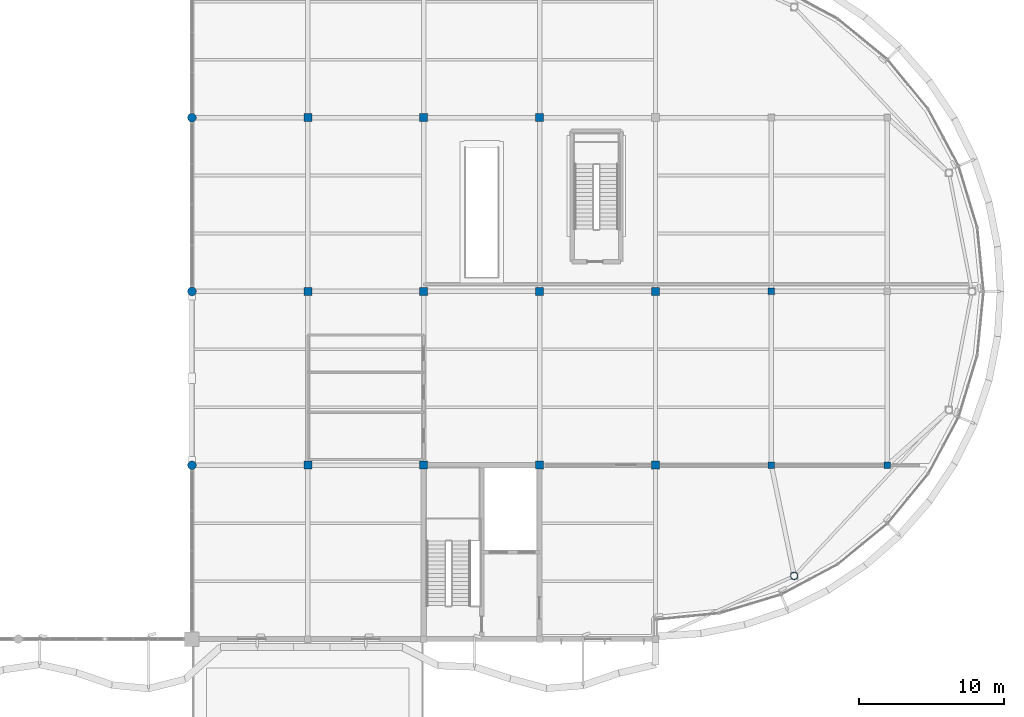
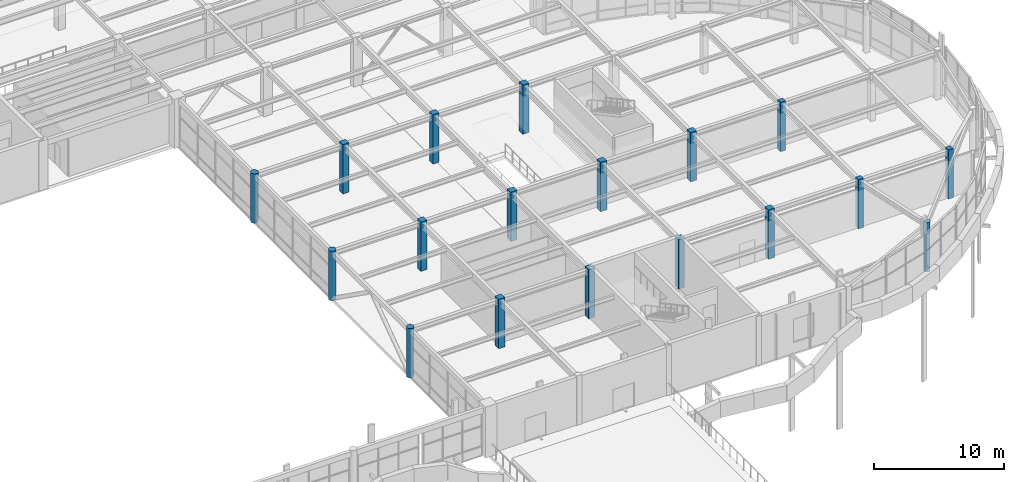
# One storey, part 6 of 63: 18 columns.
"""IFC4 building model written with IfcOpenShell, lengths in metres."""

from ifc_helpers import new_model, si_unit, direction, frame, origin, origin_2d, place, context, subcontext, project, spatial, rectangle, circle, hollow_circle, extrude, material, material_profile, profile_set, type_object, element, save


model = new_model("IFC4")

# Units and contexts
model_context = context("Model", 3, precision=1e-05, world=origin(), true_north=direction((0.0, 1.0)))
body_context = subcontext(model_context, "Body", "Model", "MODEL_VIEW")
ifc_project = project(units=[si_unit("LENGTHUNIT", "METRE"), si_unit("AREAUNIT", "SQUARE_METRE"), si_unit("VOLUMEUNIT", "CUBIC_METRE"), si_unit("PLANEANGLEUNIT", "RADIAN"), si_unit("MASSUNIT", "GRAM", prefix="KILO")], contexts=[model_context])

# Site, building, storey
site_placement = place(None, origin())
site = spatial("IfcSite", under=ifc_project, at=site_placement, CompositionType="ELEMENT")
building_placement = place(site_placement, origin())
building = spatial("IfcBuilding", under=site, at=building_placement, Name="Keelwater Ferry Terminal", CompositionType="ELEMENT")
storey_placement = place(building_placement, frame((0.0, 0.0, 10.199951171875)))
storey = spatial("IfcBuildingStorey", under=building, at=storey_placement, Name="L02", CompositionType="ELEMENT", Elevation=10.199951171875)

# Columns
ifc_material_1 = material(Name="Concrete C45/55", Category="concrete")
ifc_material_profile_1 = material_profile(ifc_material_1, rectangle(XDim=0.550048828125, YDim=0.550048828125, at=origin_2d()), Name="RC 550x550")
ifc_profile_set_1 = profile_set([ifc_material_profile_1], Name="Concrete C45/55")
column_type_1 = type_object("IfcColumnType", Name="C4 RC 550x550", PredefinedType="COLUMN", material=ifc_profile_set_1)
for number, where, z_axis, x_axis, name in (
    (1, (140.0, 54.0, 0.0), (0.0, 0.0, 1.0), (1.0, 0.0, 0.0), "Column CL-L02-0296"),
    (2, (140.0, 66.0, 0.0), (0.0, 0.0, 1.0), (1.0, 0.0, 0.0), "Column CL-L02-0300"),
    (3, (140.0, 78.0, 0.0), (0.0, 0.0, 1.0), (1.0, 0.0, 0.0), "Column CL-L02-0304"),
    (4, (148.0, 54.0, 0.0), (0.0, 0.0, 1.0), (1.0, 0.0, 0.0), "Column CL-L02-0343"),
    (5, (148.0, 66.0, 0.0), (0.0, 0.0, 1.0), (1.0, 0.0, 0.0), "Column CL-L02-0347"),
    (6, (148.0, 78.0, 0.0), (0.0, 0.0, 1.0), (1.0, 0.0, 0.0), "Column CL-L02-0351"),
    (7, (156.0, 54.0, 0.0), (0.0, 0.0, 1.0), (1.0, 0.0, 0.0), "Column CL-L02-0382"),
    (8, (156.0, 66.0, 0.0), (0.0, 0.0, 1.0), (1.0, 0.0, 0.0), "Column CL-L02-0386"),
    (9, (156.0, 78.0, 0.0), (0.0, 0.0, 1.0), (1.0, 0.0, 0.0), "Column CL-L02-0390"),
    (10, (164.0, 54.0, 0.0), (0.0, 0.0, 1.0), (1.0, 0.0, 0.0), "Column CL-L02-0421"),
    (11, (164.0, 66.0, 0.0), (0.0, 0.0, 1.0), (1.0, 0.0, 0.0), "Column CL-L02-0425"),
):
    element("IfcColumn", number, at=place(storey_placement, frame(where, z_axis=z_axis, x_axis=x_axis)), inside=storey, type_object=column_type_1, Name=name, PredefinedType="COLUMN", context=body_context, shape_type="SweptSolid", body=[
        extrude(rectangle(XDim=0.550048828125, YDim=0.550048828125, at=origin_2d()), origin(), (0.0, 0.0, 1.0), 4.64013671875),
    ])
ifc_material_2 = material(Name="Concrete C45/55", Category="concrete")
ifc_material_profile_2 = material_profile(ifc_material_2, rectangle(XDim=0.449951171875, YDim=0.449951171875, at=origin_2d()), Name="RC 450x450")
ifc_profile_set_2 = profile_set([ifc_material_profile_2], Name="Concrete C45/55")
column_type_2 = type_object("IfcColumnType", Name="C5 RC 450x450", PredefinedType="COLUMN", material=ifc_profile_set_2)
for number, where, z_axis, x_axis, name in (
    (12, (172.0, 54.0, 0.0), (0.0, 0.0, 1.0), (1.0, 0.0, 0.0), "Column CL-L02-0457"),
    (13, (172.0, 66.0, 0.0), (0.0, 0.0, 1.0), (1.0, 0.0, 0.0), "Column CL-L02-0460"),
    (14, (180.0, 54.0, 0.0), (0.0, 0.0, 1.0), (1.0, 0.0, 0.0), "Column CL-L02-0495"),
):
    element("IfcColumn", number, at=place(storey_placement, frame(where, z_axis=z_axis, x_axis=x_axis)), inside=storey, type_object=column_type_2, Name=name, PredefinedType="COLUMN", context=body_context, shape_type="SweptSolid", body=[
        extrude(rectangle(XDim=0.449951171875, YDim=0.449951171875, at=origin_2d()), origin(), (0.0, 0.0, 1.0), 4.64013671875),
    ])
ifc_material_3 = material(Name="Concrete C45/55", Category="concrete")
ifc_material_profile_3 = material_profile(ifc_material_3, circle(Radius=0.300048828125, at=origin_2d()), Name="RC D600")
ifc_profile_set_3 = profile_set([ifc_material_profile_3], Name="Concrete C45/55")
column_type_3 = type_object("IfcColumnType", Name="C7 RC D600", PredefinedType="COLUMN", material=ifc_profile_set_3)
for number, where, z_axis, x_axis, name in (
    (15, (132.0, 54.0, 0.0), (0.0, 0.0, 1.0), (1.0, 0.0, 0.0), "Column CL-L02-0244"),
    (16, (132.0, 66.0, 0.0), (0.0, 0.0, 1.0), (1.0, 0.0, 0.0), "Column CL-L02-0248"),
    (17, (132.0, 78.0, 0.0), (0.0, 0.0, 1.0), (1.0, 0.0, 0.0), "Column CL-L02-0252"),
):
    element("IfcColumn", number, at=place(storey_placement, frame(where, z_axis=z_axis, x_axis=x_axis)), inside=storey, type_object=column_type_3, Name=name, PredefinedType="COLUMN", context=body_context, shape_type="SweptSolid", body=[
        extrude(circle(Radius=0.300048828125, at=origin_2d()), origin(), (0.0, 0.0, 1.0), 4.64013671875),
    ])
ifc_material_4 = material(Name="Steel S355", Category="steel")
ifc_material_profile_4 = material_profile(ifc_material_4, hollow_circle(Radius=0.25390625, WallThickness=0.02001953125, at=origin_2d()), Name="CHS 508x20")
ifc_profile_set_4 = profile_set([ifc_material_profile_4], Name="Steel S355")
column_type_4 = type_object("IfcColumnType", Name="C8E CHS 508x20", PredefinedType="COLUMN", material=ifc_profile_set_4)
column_placement = place(storey_placement, frame((173.577880859375, 46.361083984375, 0.0), z_axis=(0.0, 0.0, 1.0), x_axis=(1.0, 0.0, 0.0)))
element("IfcColumn", 18, at=column_placement, inside=storey, type_object=column_type_4, Name="Column CL-L02-0556", PredefinedType="COLUMN", context=body_context, shape_type="SweptSolid", body=[
    extrude(hollow_circle(Radius=0.25390625, WallThickness=0.02001953125, at=origin_2d()), origin(), (0.0, 0.0, 1.0), 4.64013671875),
])

save(model, "model.ifc")
